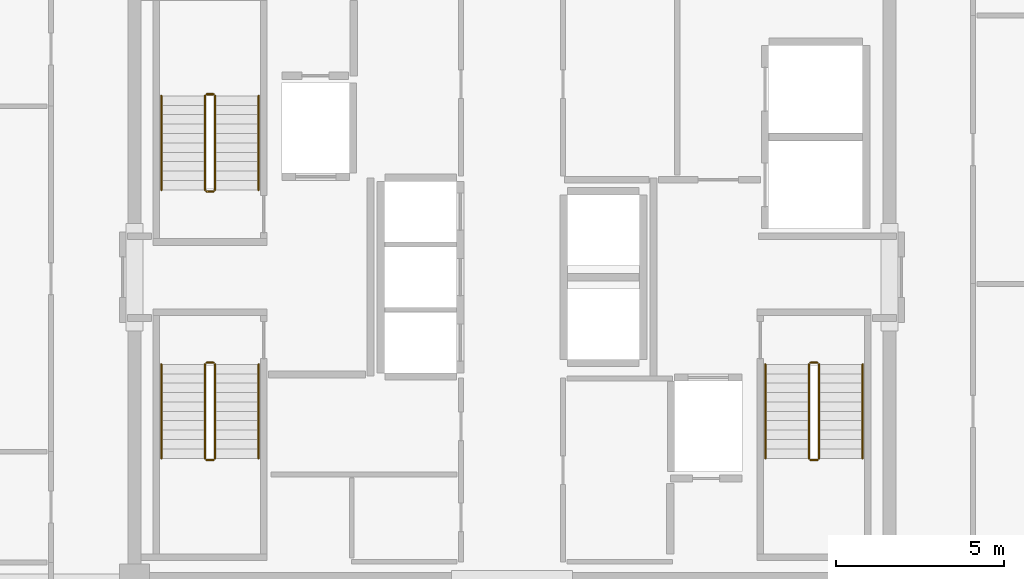
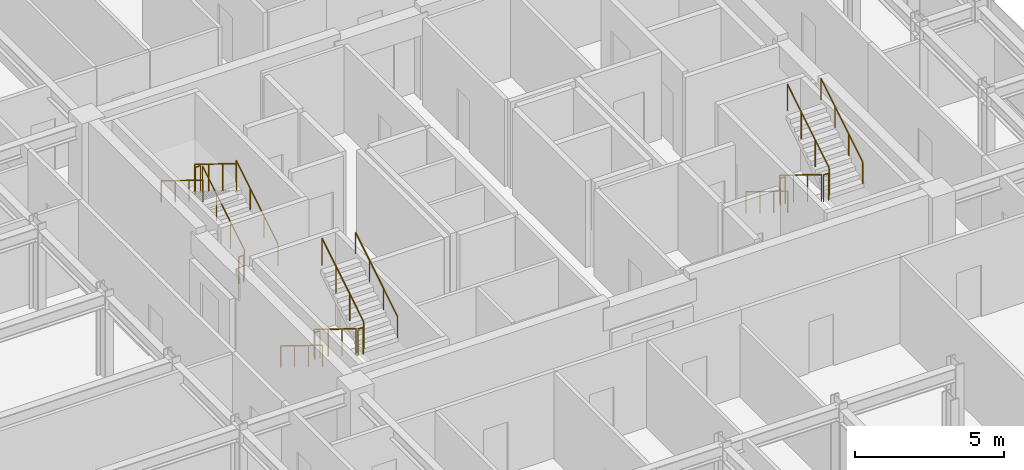
# One storey, part 17 of 17: 18 railings.
"""IFC4 building model written with IfcOpenShell, lengths in metres."""

from ifc_helpers import new_model, si_unit, direction, frame, origin, origin_2d, place, context, subcontext, project, spatial, circle, extrude, material, type_object, element, save


model = new_model("IFC4")

# Units and contexts
model_context = context("Model", 3, precision=1e-05, world=origin(), true_north=direction((0.0, 1.0)))
body_context = subcontext(model_context, "Body", "Model", "MODEL_VIEW")
ifc_project = project(units=[si_unit("LENGTHUNIT", "METRE"), si_unit("AREAUNIT", "SQUARE_METRE"), si_unit("VOLUMEUNIT", "CUBIC_METRE"), si_unit("PLANEANGLEUNIT", "RADIAN"), si_unit("MASSUNIT", "GRAM", prefix="KILO")], contexts=[model_context])

# Site, building, storey
site_placement = place(None, origin())
site = spatial("IfcSite", under=ifc_project, at=site_placement, CompositionType="ELEMENT")
building_placement = place(site_placement, origin())
building = spatial("IfcBuilding", under=site, at=building_placement, Name="Nefas-Gora Pilgrimage Tower", CompositionType="ELEMENT")
storey_placement = place(building_placement, frame((0.0, 0.0, 341.39990234375)))
storey = spatial("IfcBuildingStorey", under=building, at=storey_placement, Name="L86", CompositionType="ELEMENT", Elevation=341.39990234375)

# Railings
ifc_material_1 = material(Name="Painted galvanised steel", Category="steel")
railing_type_1 = type_object("IfcRailingType", Name="RLG-STR-GUARD-1100", PredefinedType="GUARDRAIL", material=ifc_material_1)
railing_1_placement = place(storey_placement, frame((-8.85009765625, 2.60009765625, 0.1728515625)))
element("IfcRailing", 1, at=railing_1_placement, inside=storey, type_object=railing_type_1, Name="L86 ST-01 stair guard 1", PredefinedType="GUARDRAIL", context=body_context, shape_type="SweptSolid", body=[
    extrude(circle(Radius=0.02392578125, at=origin_2d()), frame((0.0, 0.0, 1.09619140625), z_axis=(0.0, 0.851069175582, 0.525053576669), x_axis=(-1.0, 0.0, 0.0)), (0.0, 0.0, 1.0), 3.289794921875),
    extrude(circle(Radius=0.02099609375, at=origin_2d()), origin(), (0.0, 0.0, 1.0), 1.072021484375),
    extrude(circle(Radius=0.02099609375, at=origin_2d()), frame((0.0, 0.933349609375, 0.57568359375)), (0.0, 0.0, 1.0), 1.072021484375),
    extrude(circle(Radius=0.02099609375, at=origin_2d()), frame((0.0, 1.866455078125, 1.151611328125)), (0.0, 0.0, 1.0), 1.072021484375),
    extrude(circle(Radius=0.02099609375, at=origin_2d()), frame((0.0, 2.7998046875, 1.727294921875)), (0.0, 0.0, 1.0), 1.072021484375),
])
railing_2_placement = place(storey_placement, frame((-8.89990234375, 5.449951171875, 1.900146484375)))
element("IfcRailing", 2, at=railing_2_placement, inside=storey, type_object=railing_type_1, Name="L86 ST-01 stair guard 2", PredefinedType="GUARDRAIL", context=body_context, shape_type="SweptSolid", body=[
    extrude(circle(Radius=0.02392578125, at=origin_2d()), frame((0.0, 0.0, 1.09619140625), z_axis=(-1.0, 0.0, 0.0), x_axis=(0.0, -1.0, 0.0)), (0.0, 0.0, 1.0), 0.2001953125),
    extrude(circle(Radius=0.02099609375, at=origin_2d()), origin(), (0.0, 0.0, 1.0), 1.072021484375),
    extrude(circle(Radius=0.02099609375, at=origin_2d()), frame((-0.2001953125, 0.0, 0.0)), (0.0, 0.0, 1.0), 1.072021484375),
])
railing_3_placement = place(storey_placement, frame((-9.14990234375, 5.39990234375, 2.07275390625)))
element("IfcRailing", 3, at=railing_3_placement, inside=storey, type_object=railing_type_1, Name="L86 ST-01 stair guard 3", PredefinedType="GUARDRAIL", context=body_context, shape_type="SweptSolid", body=[
    extrude(circle(Radius=0.02392578125, at=origin_2d()), frame((0.0, 0.0, 1.09619140625), z_axis=(0.0, -0.851069175582, 0.525053576669), x_axis=(1.0, 0.0, 0.0)), (0.0, 0.0, 1.0), 3.289794921875),
    extrude(circle(Radius=0.02099609375, at=origin_2d()), origin(), (0.0, 0.0, 1.0), 1.072021484375),
    extrude(circle(Radius=0.02099609375, at=origin_2d()), frame((0.0, -0.933349609375, 0.57568359375)), (0.0, 0.0, 1.0), 1.072021484375),
    extrude(circle(Radius=0.02099609375, at=origin_2d()), frame((0.0, -1.866455078125, 1.151611328125)), (0.0, 0.0, 1.0), 1.072021484375),
    extrude(circle(Radius=0.02099609375, at=origin_2d()), frame((0.0, -2.7998046875, 1.727294921875)), (0.0, 0.0, 1.0), 1.072021484375),
])
railing_4_placement = place(storey_placement, frame((-8.89990234375, 2.550048828125, 0.0)))
element("IfcRailing", 4, at=railing_4_placement, inside=storey, type_object=railing_type_1, Name="L86 ST-01 stair guard 4", PredefinedType="GUARDRAIL", context=body_context, shape_type="SweptSolid", body=[
    extrude(circle(Radius=0.02392578125, at=origin_2d()), frame((0.0, 0.0, 1.09619140625), z_axis=(-1.0, 0.0, 0.0), x_axis=(0.0, -1.0, 0.0)), (0.0, 0.0, 1.0), 0.2001953125),
    extrude(circle(Radius=0.02099609375, at=origin_2d()), origin(), (0.0, 0.0, 1.0), 1.072021484375),
    extrude(circle(Radius=0.02099609375, at=origin_2d()), frame((-0.2001953125, 0.0, 0.0)), (0.0, 0.0, 1.0), 1.072021484375),
])
railing_5_placement = place(storey_placement, frame((8.85009765625, -2.60009765625, 0.1728515625)))
element("IfcRailing", 5, at=railing_5_placement, inside=storey, type_object=railing_type_1, Name="L86 ST-02 stair guard 1", PredefinedType="GUARDRAIL", context=body_context, shape_type="SweptSolid", body=[
    extrude(circle(Radius=0.02392578125, at=origin_2d()), frame((0.0, 0.0, 1.09619140625), z_axis=(0.0, -0.851069175582, 0.525053576669), x_axis=(1.0, 0.0, 0.0)), (0.0, 0.0, 1.0), 3.289794921875),
    extrude(circle(Radius=0.02099609375, at=origin_2d()), origin(), (0.0, 0.0, 1.0), 1.072021484375),
    extrude(circle(Radius=0.02099609375, at=origin_2d()), frame((0.0, -0.933349609375, 0.57568359375)), (0.0, 0.0, 1.0), 1.072021484375),
    extrude(circle(Radius=0.02099609375, at=origin_2d()), frame((0.0, -1.866455078125, 1.151611328125)), (0.0, 0.0, 1.0), 1.072021484375),
    extrude(circle(Radius=0.02099609375, at=origin_2d()), frame((0.0, -2.7998046875, 1.727294921875)), (0.0, 0.0, 1.0), 1.072021484375),
])
railing_6_placement = place(storey_placement, frame((8.89990234375, -5.449951171875, 1.900146484375)))
element("IfcRailing", 6, at=railing_6_placement, inside=storey, type_object=railing_type_1, Name="L86 ST-02 stair guard 2", PredefinedType="GUARDRAIL", context=body_context, shape_type="SweptSolid", body=[
    extrude(circle(Radius=0.02392578125, at=origin_2d()), frame((0.0, 0.0, 1.09619140625), z_axis=(1.0, 0.0, 0.0), x_axis=(0.0, 1.0, 0.0)), (0.0, 0.0, 1.0), 0.2001953125),
    extrude(circle(Radius=0.02099609375, at=origin_2d()), origin(), (0.0, 0.0, 1.0), 1.072021484375),
    extrude(circle(Radius=0.02099609375, at=origin_2d()), frame((0.2001953125, 0.0, 0.0)), (0.0, 0.0, 1.0), 1.072021484375),
])
railing_7_placement = place(storey_placement, frame((9.14990234375, -5.39990234375, 2.07275390625)))
element("IfcRailing", 7, at=railing_7_placement, inside=storey, type_object=railing_type_1, Name="L86 ST-02 stair guard 3", PredefinedType="GUARDRAIL", context=body_context, shape_type="SweptSolid", body=[
    extrude(circle(Radius=0.02392578125, at=origin_2d()), frame((0.0, 0.0, 1.09619140625), z_axis=(0.0, 0.851069175582, 0.525053576669), x_axis=(-1.0, 0.0, 0.0)), (0.0, 0.0, 1.0), 3.289794921875),
    extrude(circle(Radius=0.02099609375, at=origin_2d()), origin(), (0.0, 0.0, 1.0), 1.072021484375),
    extrude(circle(Radius=0.02099609375, at=origin_2d()), frame((0.0, 0.933349609375, 0.57568359375)), (0.0, 0.0, 1.0), 1.072021484375),
    extrude(circle(Radius=0.02099609375, at=origin_2d()), frame((0.0, 1.866455078125, 1.151611328125)), (0.0, 0.0, 1.0), 1.072021484375),
    extrude(circle(Radius=0.02099609375, at=origin_2d()), frame((0.0, 2.7998046875, 1.727294921875)), (0.0, 0.0, 1.0), 1.072021484375),
])
railing_8_placement = place(storey_placement, frame((8.89990234375, -2.550048828125, 0.0)))
element("IfcRailing", 8, at=railing_8_placement, inside=storey, type_object=railing_type_1, Name="L86 ST-02 stair guard 4", PredefinedType="GUARDRAIL", context=body_context, shape_type="SweptSolid", body=[
    extrude(circle(Radius=0.02392578125, at=origin_2d()), frame((0.0, 0.0, 1.09619140625), z_axis=(1.0, 0.0, 0.0), x_axis=(0.0, 1.0, 0.0)), (0.0, 0.0, 1.0), 0.2001953125),
    extrude(circle(Radius=0.02099609375, at=origin_2d()), origin(), (0.0, 0.0, 1.0), 1.072021484375),
    extrude(circle(Radius=0.02099609375, at=origin_2d()), frame((0.2001953125, 0.0, 0.0)), (0.0, 0.0, 1.0), 1.072021484375),
])
railing_9_placement = place(storey_placement, frame((-9.14990234375, -2.60009765625, 0.1728515625)))
element("IfcRailing", 9, at=railing_9_placement, inside=storey, type_object=railing_type_1, Name="L86 ST-03 stair guard 1", PredefinedType="GUARDRAIL", context=body_context, shape_type="SweptSolid", body=[
    extrude(circle(Radius=0.02392578125, at=origin_2d()), frame((0.0, 0.0, 1.09619140625), z_axis=(0.0, -0.851069175582, 0.525053576669), x_axis=(1.0, 0.0, 0.0)), (0.0, 0.0, 1.0), 3.289794921875),
    extrude(circle(Radius=0.02099609375, at=origin_2d()), origin(), (0.0, 0.0, 1.0), 1.072021484375),
    extrude(circle(Radius=0.02099609375, at=origin_2d()), frame((0.0, -0.933349609375, 0.57568359375)), (0.0, 0.0, 1.0), 1.072021484375),
    extrude(circle(Radius=0.02099609375, at=origin_2d()), frame((0.0, -1.866455078125, 1.151611328125)), (0.0, 0.0, 1.0), 1.072021484375),
    extrude(circle(Radius=0.02099609375, at=origin_2d()), frame((0.0, -2.7998046875, 1.727294921875)), (0.0, 0.0, 1.0), 1.072021484375),
])
railing_10_placement = place(storey_placement, frame((-9.10009765625, -5.449951171875, 1.900146484375)))
element("IfcRailing", 10, at=railing_10_placement, inside=storey, type_object=railing_type_1, Name="L86 ST-03 stair guard 2", PredefinedType="GUARDRAIL", context=body_context, shape_type="SweptSolid", body=[
    extrude(circle(Radius=0.02392578125, at=origin_2d()), frame((0.0, 0.0, 1.09619140625), z_axis=(1.0, 0.0, 0.0), x_axis=(0.0, 1.0, 0.0)), (0.0, 0.0, 1.0), 0.2001953125),
    extrude(circle(Radius=0.02099609375, at=origin_2d()), origin(), (0.0, 0.0, 1.0), 1.072021484375),
    extrude(circle(Radius=0.02099609375, at=origin_2d()), frame((0.2001953125, 0.0, 0.0)), (0.0, 0.0, 1.0), 1.072021484375),
])
railing_11_placement = place(storey_placement, frame((-8.85009765625, -5.39990234375, 2.07275390625)))
element("IfcRailing", 11, at=railing_11_placement, inside=storey, type_object=railing_type_1, Name="L86 ST-03 stair guard 3", PredefinedType="GUARDRAIL", context=body_context, shape_type="SweptSolid", body=[
    extrude(circle(Radius=0.02392578125, at=origin_2d()), frame((0.0, 0.0, 1.09619140625), z_axis=(0.0, 0.851069175582, 0.525053576669), x_axis=(-1.0, 0.0, 0.0)), (0.0, 0.0, 1.0), 3.289794921875),
    extrude(circle(Radius=0.02099609375, at=origin_2d()), origin(), (0.0, 0.0, 1.0), 1.072021484375),
    extrude(circle(Radius=0.02099609375, at=origin_2d()), frame((0.0, 0.933349609375, 0.57568359375)), (0.0, 0.0, 1.0), 1.072021484375),
    extrude(circle(Radius=0.02099609375, at=origin_2d()), frame((0.0, 1.866455078125, 1.151611328125)), (0.0, 0.0, 1.0), 1.072021484375),
    extrude(circle(Radius=0.02099609375, at=origin_2d()), frame((0.0, 2.7998046875, 1.727294921875)), (0.0, 0.0, 1.0), 1.072021484375),
])
railing_12_placement = place(storey_placement, frame((-9.10009765625, -2.550048828125, 0.0)))
element("IfcRailing", 12, at=railing_12_placement, inside=storey, type_object=railing_type_1, Name="L86 ST-03 stair guard 4", PredefinedType="GUARDRAIL", context=body_context, shape_type="SweptSolid", body=[
    extrude(circle(Radius=0.02392578125, at=origin_2d()), frame((0.0, 0.0, 1.09619140625), z_axis=(1.0, 0.0, 0.0), x_axis=(0.0, 1.0, 0.0)), (0.0, 0.0, 1.0), 0.2001953125),
    extrude(circle(Radius=0.02099609375, at=origin_2d()), origin(), (0.0, 0.0, 1.0), 1.072021484375),
    extrude(circle(Radius=0.02099609375, at=origin_2d()), frame((0.2001953125, 0.0, 0.0)), (0.0, 0.0, 1.0), 1.072021484375),
])
ifc_material_2 = material(Name="Brushed stainless steel", Category="steel")
railing_type_2 = type_object("IfcRailingType", Name="RLG-STR-HAND-900", PredefinedType="HANDRAIL", material=ifc_material_2)
railing_13_placement = place(storey_placement, frame((-7.550048828125, 2.60009765625, 0.1728515625)))
element("IfcRailing", 13, at=railing_13_placement, inside=storey, type_object=railing_type_2, Name="L86 ST-01 stair handrail 1", PredefinedType="HANDRAIL", context=body_context, shape_type="SweptSolid", body=[
    extrude(circle(Radius=0.02392578125, at=origin_2d()), frame((0.0, 0.0, 0.8759765625), z_axis=(0.0, 0.851069175582, 0.525053576669), x_axis=(-1.0, 0.0, 0.0)), (0.0, 0.0, 1.0), 3.289794921875),
    extrude(circle(Radius=0.02099609375, at=origin_2d()), origin(), (0.0, 0.0, 1.0), 0.851806640625),
    extrude(circle(Radius=0.02099609375, at=origin_2d()), frame((0.0, 0.933349609375, 0.57568359375)), (0.0, 0.0, 1.0), 0.851806640625),
    extrude(circle(Radius=0.02099609375, at=origin_2d()), frame((0.0, 1.866455078125, 1.151611328125)), (0.0, 0.0, 1.0), 0.851806640625),
    extrude(circle(Radius=0.02099609375, at=origin_2d()), frame((0.0, 2.7998046875, 1.727294921875)), (0.0, 0.0, 1.0), 0.851806640625),
])
for number, where, name in (
    (14, (-10.449951171875, 5.39990234375, 2.07275390625), "L86 ST-01 stair handrail 2"),
    (15, (7.550048828125, -2.60009765625, 0.1728515625), "L86 ST-02 stair handrail 1"),
):
    element("IfcRailing", number, at=place(storey_placement, frame(where)), inside=storey, type_object=railing_type_2, Name=name, PredefinedType="HANDRAIL", context=body_context, shape_type="SweptSolid", body=[
        extrude(circle(Radius=0.02392578125, at=origin_2d()), frame((0.0, 0.0, 0.8759765625), z_axis=(0.0, -0.851069175582, 0.525053576669), x_axis=(1.0, 0.0, 0.0)), (0.0, 0.0, 1.0), 3.289794921875),
        extrude(circle(Radius=0.02099609375, at=origin_2d()), origin(), (0.0, 0.0, 1.0), 0.851806640625),
        extrude(circle(Radius=0.02099609375, at=origin_2d()), frame((0.0, -0.933349609375, 0.57568359375)), (0.0, 0.0, 1.0), 0.851806640625),
        extrude(circle(Radius=0.02099609375, at=origin_2d()), frame((0.0, -1.866455078125, 1.151611328125)), (0.0, 0.0, 1.0), 0.851806640625),
        extrude(circle(Radius=0.02099609375, at=origin_2d()), frame((0.0, -2.7998046875, 1.727294921875)), (0.0, 0.0, 1.0), 0.851806640625),
    ])
railing_14_placement = place(storey_placement, frame((10.449951171875, -5.39990234375, 2.07275390625)))
element("IfcRailing", 16, at=railing_14_placement, inside=storey, type_object=railing_type_2, Name="L86 ST-02 stair handrail 2", PredefinedType="HANDRAIL", context=body_context, shape_type="SweptSolid", body=[
    extrude(circle(Radius=0.02392578125, at=origin_2d()), frame((0.0, 0.0, 0.8759765625), z_axis=(0.0, 0.851069175582, 0.525053576669), x_axis=(-1.0, 0.0, 0.0)), (0.0, 0.0, 1.0), 3.289794921875),
    extrude(circle(Radius=0.02099609375, at=origin_2d()), origin(), (0.0, 0.0, 1.0), 0.851806640625),
    extrude(circle(Radius=0.02099609375, at=origin_2d()), frame((0.0, 0.933349609375, 0.57568359375)), (0.0, 0.0, 1.0), 0.851806640625),
    extrude(circle(Radius=0.02099609375, at=origin_2d()), frame((0.0, 1.866455078125, 1.151611328125)), (0.0, 0.0, 1.0), 0.851806640625),
    extrude(circle(Radius=0.02099609375, at=origin_2d()), frame((0.0, 2.7998046875, 1.727294921875)), (0.0, 0.0, 1.0), 0.851806640625),
])
railing_15_placement = place(storey_placement, frame((-10.449951171875, -2.60009765625, 0.1728515625)))
element("IfcRailing", 17, at=railing_15_placement, inside=storey, type_object=railing_type_2, Name="L86 ST-03 stair handrail 1", PredefinedType="HANDRAIL", context=body_context, shape_type="SweptSolid", body=[
    extrude(circle(Radius=0.02392578125, at=origin_2d()), frame((0.0, 0.0, 0.8759765625), z_axis=(0.0, -0.851069175582, 0.525053576669), x_axis=(1.0, 0.0, 0.0)), (0.0, 0.0, 1.0), 3.289794921875),
    extrude(circle(Radius=0.02099609375, at=origin_2d()), origin(), (0.0, 0.0, 1.0), 0.851806640625),
    extrude(circle(Radius=0.02099609375, at=origin_2d()), frame((0.0, -0.933349609375, 0.57568359375)), (0.0, 0.0, 1.0), 0.851806640625),
    extrude(circle(Radius=0.02099609375, at=origin_2d()), frame((0.0, -1.866455078125, 1.151611328125)), (0.0, 0.0, 1.0), 0.851806640625),
    extrude(circle(Radius=0.02099609375, at=origin_2d()), frame((0.0, -2.7998046875, 1.727294921875)), (0.0, 0.0, 1.0), 0.851806640625),
])
railing_16_placement = place(storey_placement, frame((-7.550048828125, -5.39990234375, 2.07275390625)))
element("IfcRailing", 18, at=railing_16_placement, inside=storey, type_object=railing_type_2, Name="L86 ST-03 stair handrail 2", PredefinedType="HANDRAIL", context=body_context, shape_type="SweptSolid", body=[
    extrude(circle(Radius=0.02392578125, at=origin_2d()), frame((0.0, 0.0, 0.8759765625), z_axis=(0.0, 0.851069175582, 0.525053576669), x_axis=(-1.0, 0.0, 0.0)), (0.0, 0.0, 1.0), 3.289794921875),
    extrude(circle(Radius=0.02099609375, at=origin_2d()), origin(), (0.0, 0.0, 1.0), 0.851806640625),
    extrude(circle(Radius=0.02099609375, at=origin_2d()), frame((0.0, 0.933349609375, 0.57568359375)), (0.0, 0.0, 1.0), 0.851806640625),
    extrude(circle(Radius=0.02099609375, at=origin_2d()), frame((0.0, 1.866455078125, 1.151611328125)), (0.0, 0.0, 1.0), 0.851806640625),
    extrude(circle(Radius=0.02099609375, at=origin_2d()), frame((0.0, 2.7998046875, 1.727294921875)), (0.0, 0.0, 1.0), 0.851806640625),
])

save(model, "model.ifc")
